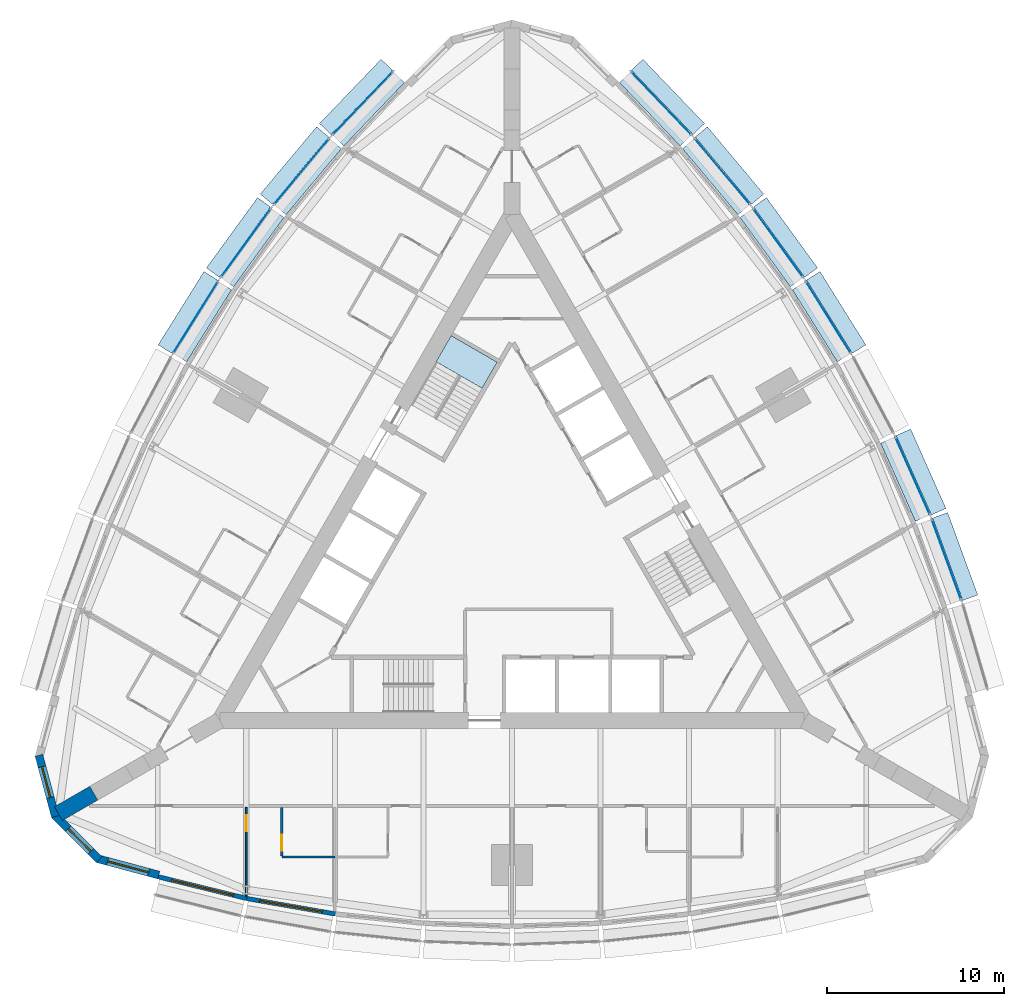
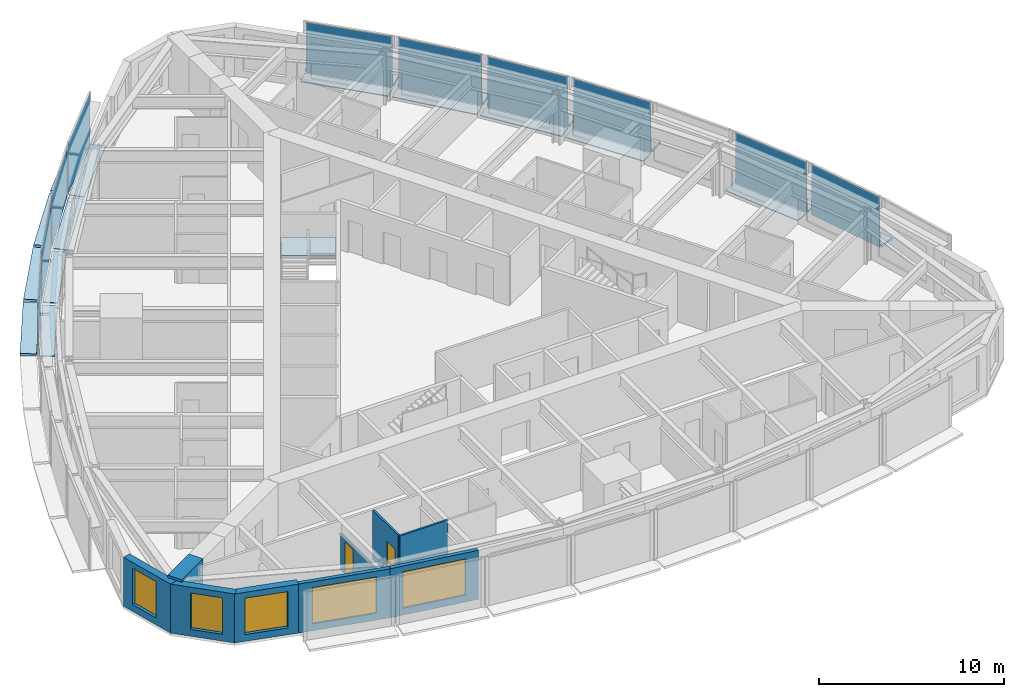
# One storey, part 7 of 14: 29 plates, 9 walls, 5 windows, 2 doors, 1 slab, 7 openings, 11 elements without a shape of their own.
"""IFC4 building model written with IfcOpenShell, lengths in metres."""

import ifcopenshell
import ifcopenshell.guid

model = None  # the IFC model being written
_history = None  # IfcOwnerHistory: only IFC2X3 demands one
_inside = {}  # id of a spatial element -> (the spatial element, [elements in it])
_under = {}  # id of a project, library or spatial element -> (it, [spatial elements below it])
_declared = {}  # id of a project -> (the project, [libraries it declares])
_typed = {}  # id of a type object -> (the type object, [elements of that type])
_made_of = {}  # id of a material, layer set ... -> (it, [elements and type objects made of it])


def new_model(schema):
    """Start an empty IFC model of exactly this schema.

    Asked for "IFC4X3", IfcOpenShell would pick the latest addendum, in which some entities
    have other attributes; the version numbers below select the first issue.
    IFC2X3 requires an IfcOwnerHistory on every rooted entity: one is made here for all.
    """
    global model, _history
    if schema == "IFC4X3":
        model = ifcopenshell.file(schema_version=(4, 3, 0, 0))
    else:
        model = ifcopenshell.file(schema=schema)
    _inside.clear()
    _under.clear()
    _declared.clear()
    _typed.clear()
    _made_of.clear()
    _history = None
    if model.schema == "IFC2X3":
        org = make("IfcOrganization", Name="unknown")
        user = make(
            "IfcPersonAndOrganization",
            ThePerson=make("IfcPerson", FamilyName="unknown"),
            TheOrganization=org,
        )
        app = make(
            "IfcApplication",
            ApplicationDeveloper=org,
            Version="unknown",
            ApplicationFullName="unknown",
            ApplicationIdentifier="unknown",
        )
        _history = make(
            "IfcOwnerHistory",
            OwningUser=user,
            OwningApplication=app,
            ChangeAction="ADDED",
            CreationDate=0,
        )
    return model


def make(cls, **values):
    """One entity of the class cls with the attributes given. An attribute that is None is left unset."""
    return model.create_entity(
        cls, **{name: value for name, value in values.items() if value is not None}
    )


def rooted(cls, **values):
    """An entity with a GlobalId (a new one), such as an element, a storey or a relation."""
    return make(cls, GlobalId=ifcopenshell.guid.new(), OwnerHistory=_history, **values)


def si_unit(unit_type, name, prefix=None):
    """IfcSIUnit, for example si_unit("LENGTHUNIT", "METRE", prefix="MILLI")."""
    return make("IfcSIUnit", UnitType=unit_type, Prefix=prefix, Name=name)


def assignment(units):
    """IfcUnitAssignment: the units of a project."""
    return None if units is None else make("IfcUnitAssignment", Units=units)


def point(xyz):
    """IfcCartesianPoint."""
    return None if xyz is None else make("IfcCartesianPoint", Coordinates=xyz)


def direction(xyz):
    """IfcDirection."""
    return None if xyz is None else make("IfcDirection", DirectionRatios=xyz)


def frame(location, z_axis=None, x_axis=None):
    """IfcAxis2Placement3D, a coordinate frame: its origin and axes. An axis left out is left unset."""
    return make(
        "IfcAxis2Placement3D",
        Location=point(location),
        Axis=direction(z_axis),
        RefDirection=direction(x_axis),
    )


def frame_2d(location, x_axis=None):
    """IfcAxis2Placement2D, a coordinate frame in the plane: its origin and x axis."""
    return make(
        "IfcAxis2Placement2D", Location=point(location), RefDirection=direction(x_axis)
    )


def origin():
    """The frame at (0, 0, 0) with its axes left unset."""
    return frame((0.0, 0.0, 0.0))


def origin_2d():
    """The frame at (0, 0) in the plane with its x axis left unset."""
    return frame_2d((0.0, 0.0))


def place(relative_to, where):
    """IfcLocalPlacement: puts the frame where relative to a parent placement (None: the world)."""
    return make(
        "IfcLocalPlacement", PlacementRelTo=relative_to, RelativePlacement=where
    )


def context(
    kind, dimensions, precision=None, world=None, true_north=None, identifier=None
):
    """IfcGeometricRepresentationContext, for example the 3D "Model" context."""
    return make(
        "IfcGeometricRepresentationContext",
        ContextIdentifier=identifier,
        ContextType=kind,
        CoordinateSpaceDimension=dimensions,
        Precision=precision,
        WorldCoordinateSystem=world,
        TrueNorth=true_north,
    )


def subcontext(parent, identifier, kind, view, scale=None):
    """IfcGeometricRepresentationSubContext, for example "Body" below "Model"."""
    return make(
        "IfcGeometricRepresentationSubContext",
        ContextIdentifier=identifier,
        ContextType=kind,
        ParentContext=parent,
        TargetScale=scale,
        TargetView=view,
    )


def project(units=None, contexts=None):
    """IfcProject with its units and contexts."""
    return rooted(
        "IfcProject",
        Name="project",
        RepresentationContexts=contexts,
        UnitsInContext=assignment(units),
    )


def spatial(cls, under=None, at=None, **own):
    """A site, building, storey or space (cls), placed at a placement, below another one or the project."""
    s = rooted(cls, ObjectPlacement=at, **own)
    if under is not None:
        _under.setdefault(under.id(), (under, []))[1].append(s)
    return s


def polyline(points):
    """IfcPolyline through the points."""
    return make("IfcPolyline", Points=[point(p) for p in points])


def profile(cls, at=None, kind="AREA", **sizes):
    """A parametric profile (cls). Its sizes go by their IFC names, for example OverallWidth=200.0."""
    return make(cls, ProfileType=kind, Position=at, **sizes)


def rectangle(**sizes):
    """IfcRectangleProfileDef."""
    return profile("IfcRectangleProfileDef", **sizes)


def outline(outer, holes=None, kind="AREA"):
    """IfcArbitraryClosedProfileDef: a profile drawn as a closed curve; with holes, ...WithVoids."""
    if holes is None:
        return make("IfcArbitraryClosedProfileDef", ProfileType=kind, OuterCurve=outer)
    return make(
        "IfcArbitraryProfileDefWithVoids",
        ProfileType=kind,
        OuterCurve=outer,
        InnerCurves=holes,
    )


def extrude(swept, where, along, depth):
    """IfcExtrudedAreaSolid: the profile swept, set in the frame where, extruded along a direction by depth."""
    return make(
        "IfcExtrudedAreaSolid",
        SweptArea=swept,
        Position=where,
        ExtrudedDirection=direction(along),
        Depth=depth,
    )


def shape(context_of_items, identifier, shape_type, items):
    """IfcShapeRepresentation: the items that make up one representation, for example the "Body"."""
    return make(
        "IfcShapeRepresentation",
        ContextOfItems=context_of_items,
        RepresentationIdentifier=identifier,
        RepresentationType=shape_type,
        Items=items,
    )


def material(Name=None, Category=None):
    """IfcMaterial."""
    return make("IfcMaterial", Name=Name, Category=Category)


def layer(
    of_material, thickness, ventilated=None, Name=None, Category=None, Priority=None
):
    """IfcMaterialLayer: one layer of a wall or slab, of a material (None: an air gap)."""
    return make(
        "IfcMaterialLayer",
        Material=of_material,
        LayerThickness=thickness,
        IsVentilated=ventilated,
        Name=Name,
        Category=Category,
        Priority=Priority,
    )


def layer_set(layers, Name=None):
    """IfcMaterialLayerSet."""
    return make("IfcMaterialLayerSet", MaterialLayers=layers, LayerSetName=Name)


def made_of(thing, what):
    """Note that an element or type object is made of a material, layer set ...; save() writes the relation."""
    if what is not None:
        _made_of.setdefault(what.id(), (what, []))[1].append(thing)
    return thing


def type_object(cls, material=None, **own):
    """A type object (cls), such as IfcWallType, which elements share."""
    return made_of(rooted(cls, **own), material)


def element(
    cls,
    number,
    at=None,
    inside=None,
    cuts=None,
    type_object=None,
    material=None,
    context=None,
    identifier="Body",
    shape_type=None,
    held_by="IfcProductDefinitionShape",
    body=None,
    shapes=None,
    **own,
):
    """One element of the class cls, such as IfcWall. Its Tag is "e" and its number.

    at: its placement. inside: the storey or other place that contains it. cuts: it is an
    opening in that element (IfcRelVoidsElement). A single representation is given by context,
    identifier, shape_type and body (its items); several are given by shapes. held_by: the class
    of the entity that holds the representations. save() writes the other relations.
    """
    e = rooted(cls, Tag="e%d" % number, ObjectPlacement=at, **own)
    if body is not None:
        shapes = [shape(context, identifier, shape_type, body)]
    if shapes is not None:
        e.Representation = make(held_by, Representations=shapes)
    if inside is not None:
        _inside.setdefault(inside.id(), (inside, []))[1].append(e)
    if cuts is not None:
        rooted(
            "IfcRelVoidsElement", RelatingBuildingElement=cuts, RelatedOpeningElement=e
        )
    if type_object is not None:
        _typed.setdefault(type_object.id(), (type_object, []))[1].append(e)
    return made_of(e, material)


def fill(opening, filler):
    """IfcRelFillsElement: the door or window that sits in an opening."""
    return rooted(
        "IfcRelFillsElement",
        RelatingOpeningElement=opening,
        RelatedBuildingElement=filler,
    )


def aggregate(whole, parts):
    """IfcRelAggregates: a whole, such as a stair, and the parts it consists of."""
    return rooted("IfcRelAggregates", RelatingObject=whole, RelatedObjects=parts)


def save(model, path):
    """Write the relations noted so far, then the file.

    IfcRelAggregates (storeys below a building ...), IfcRelContainedInSpatialStructure (elements
    in a storey), IfcRelDefinesByType, IfcRelAssociatesMaterial and IfcRelDeclares: one each for
    every whole, place, type object, material and project.
    """
    for whole, parts in _under.values():
        aggregate(whole, parts)
    for where, things in _inside.values():
        rooted(
            "IfcRelContainedInSpatialStructure",
            RelatedElements=things,
            RelatingStructure=where,
        )
    for kind, things in _typed.values():
        rooted("IfcRelDefinesByType", RelatedObjects=things, RelatingType=kind)
    for what, things in _made_of.values():
        rooted("IfcRelAssociatesMaterial", RelatedObjects=things, RelatingMaterial=what)
    for by, libraries in _declared.values():
        rooted("IfcRelDeclares", RelatingContext=by, RelatedDefinitions=libraries)
    model.write(path)


model = new_model("IFC4")

# Units and contexts
model_context = context("Model", 3, precision=1e-05, world=origin(), true_north=direction((0.0, 1.0)))
body_context = subcontext(model_context, "Body", "Model", "MODEL_VIEW")
ifc_project = project(units=[si_unit("LENGTHUNIT", "METRE"), si_unit("AREAUNIT", "SQUARE_METRE"), si_unit("VOLUMEUNIT", "CUBIC_METRE"), si_unit("PLANEANGLEUNIT", "RADIAN"), si_unit("MASSUNIT", "GRAM", prefix="KILO")], contexts=[model_context])

# Site, building, storey
site_placement = place(None, origin())
site = spatial("IfcSite", under=ifc_project, at=site_placement, CompositionType="ELEMENT")
building_placement = place(site_placement, origin())
building = spatial("IfcBuilding", under=site, at=building_placement, Name="Trikona Tower", CompositionType="ELEMENT")
storey_placement = place(building_placement, frame((0.0, 0.0, 158.89990234375)))
storey = spatial("IfcBuildingStorey", under=building, at=storey_placement, Name="L42", CompositionType="ELEMENT", Elevation=158.89990234375)

# Plates
ifc_material_1 = material(Name="Aluminium bar grating", Category="aluminium")
ifc_layer_1 = layer(ifc_material_1, 0.050048828125)
ifc_layer_set_1 = layer_set([ifc_layer_1], Name="Cavity catwalk grating")
plate_type_1 = type_object("IfcPlateType", Name="Cavity catwalk grating", PredefinedType="USERDEFINED", material=ifc_layer_set_1)
plate_1_placement = place(storey_placement, frame((22.175048828125, 4.092529296875, -0.0498046875), z_axis=(0.0, 0.0, 1.0), x_axis=(-0.406843467615, 0.913497888809, 0.0)))
element("IfcPlate", 1, at=plate_1_placement, inside=storey, type_object=plate_type_1, Name="Cavity catwalk L42-14", ObjectType="CATWALK GRATING", PredefinedType="USERDEFINED", context=body_context, shape_type="SweptSolid", body=[
    extrude(rectangle(XDim=4.827392578125, YDim=0.830078125, at=origin_2d()), origin(), (0.0, 0.0, 1.0), 0.050048828125),
])
plate_2_placement = place(storey_placement, frame((17.450927734375, 12.978759765625, -0.0498046875), z_axis=(0.0, 0.0, 1.0), x_axis=(-0.529994748414, 0.848000923734, 0.0)))
element("IfcPlate", 2, at=plate_2_placement, inside=storey, type_object=plate_type_1, Name="Cavity catwalk L42-16", ObjectType="CATWALK GRATING", PredefinedType="USERDEFINED", context=body_context, shape_type="SweptSolid", body=[
    extrude(rectangle(XDim=4.802978515625, YDim=0.830078125, at=origin_2d()), origin(), (0.0, 0.0, 1.0), 0.050048828125),
])
plate_3_placement = place(storey_placement, frame((14.6318359375, 17.157958984375, -0.0498046875), z_axis=(0.0, 0.0, 1.0), x_axis=(-0.587686407834, 0.809088799853, 0.0)))
element("IfcPlate", 3, at=plate_3_placement, inside=storey, type_object=plate_type_1, Name="Cavity catwalk L42-17", ObjectType="CATWALK GRATING", PredefinedType="USERDEFINED", context=body_context, shape_type="SweptSolid", body=[
    extrude(rectangle(XDim=4.827392578125, YDim=0.830078125, at=origin_2d()), origin(), (0.0, 0.0, 1.0), 0.050048828125),
])
plate_4_placement = place(storey_placement, frame((11.508056640625, 21.160400390625, -0.0498046875), z_axis=(0.0, 0.0, 1.0), x_axis=(-0.641807063101, 0.766866151133, 0.0)))
element("IfcPlate", 4, at=plate_4_placement, inside=storey, type_object=plate_type_1, Name="Cavity catwalk L42-18", ObjectType="CATWALK GRATING", PredefinedType="USERDEFINED", context=body_context, shape_type="SweptSolid", body=[
    extrude(rectangle(XDim=4.8759765625, YDim=0.830078125, at=origin_2d()), origin(), (0.0, 0.0, 1.0), 0.050048828125),
])
for number, where, z_axis, x_axis, name in (
    (5, (8.080078125, 24.986328125, -0.0498046875), (0.0, 0.0, 1.0), (-0.691723573819, 0.722162376078, 0.0), "Cavity catwalk L42-19"),
    (6, (-8.080078125, 24.986328125, -0.0498046875), (0.0, 0.0, 1.0), (-0.691723573819, -0.722162376078, 0.0), "Cavity catwalk L42-24"),
):
    element("IfcPlate", number, at=place(storey_placement, frame(where, z_axis=z_axis, x_axis=x_axis)), inside=storey, type_object=plate_type_1, Name=name, ObjectType="CATWALK GRATING", PredefinedType="USERDEFINED", context=body_context, shape_type="SweptSolid", body=[
        extrude(rectangle(XDim=4.947998046875, YDim=0.830078125, at=origin_2d()), origin(), (0.0, 0.0, 1.0), 0.050048828125),
    ])
plate_5_placement = place(storey_placement, frame((-11.508056640625, 21.160400390625, -0.0498046875), z_axis=(0.0, 0.0, 1.0), x_axis=(-0.641807063101, -0.766866151133, 0.0)))
element("IfcPlate", 7, at=plate_5_placement, inside=storey, type_object=plate_type_1, Name="Cavity catwalk L42-25", ObjectType="CATWALK GRATING", PredefinedType="USERDEFINED", context=body_context, shape_type="SweptSolid", body=[
    extrude(rectangle(XDim=4.8759765625, YDim=0.830078125, at=origin_2d()), origin(), (0.0, 0.0, 1.0), 0.050048828125),
])
plate_6_placement = place(storey_placement, frame((-14.6318359375, 17.157958984375, -0.0498046875), z_axis=(0.0, 0.0, 1.0), x_axis=(-0.587686407834, -0.809088799853, 0.0)))
element("IfcPlate", 8, at=plate_6_placement, inside=storey, type_object=plate_type_1, Name="Cavity catwalk L42-26", ObjectType="CATWALK GRATING", PredefinedType="USERDEFINED", context=body_context, shape_type="SweptSolid", body=[
    extrude(rectangle(XDim=4.827392578125, YDim=0.830078125, at=origin_2d()), origin(), (0.0, 0.0, 1.0), 0.050048828125),
])
plate_7_placement = place(storey_placement, frame((-17.450927734375, 12.978759765625, -0.0498046875), z_axis=(0.0, 0.0, 1.0), x_axis=(-0.529994748414, -0.848000923734, 0.0)))
element("IfcPlate", 9, at=plate_7_placement, inside=storey, type_object=plate_type_1, Name="Cavity catwalk L42-27", ObjectType="CATWALK GRATING", PredefinedType="USERDEFINED", context=body_context, shape_type="SweptSolid", body=[
    extrude(rectangle(XDim=4.802978515625, YDim=0.830078125, at=origin_2d()), origin(), (0.0, 0.0, 1.0), 0.050048828125),
])

# Curtain wall, plate
ifc_material_2 = material(Name="Aluminium curtain wall system", Category="aluminium")
curtain_wall_type = type_object("IfcCurtainWallType", Name="Curtain wall DS2", PredefinedType="NOTDEFINED", material=ifc_material_2)
curtain_wall_1_placement = place(storey_placement, origin())
curtain_wall_1 = element("IfcCurtainWall", 10, at=curtain_wall_1_placement, inside=storey, type_object=curtain_wall_type, Name="Curtain wall DS2 L42", PredefinedType="NOTDEFINED")
ifc_material_3 = material(Name="Laminated clear glass", Category="glass")
ifc_layer_2 = layer(ifc_material_3, 0.028076171875)
ifc_layer_set_2 = layer_set([ifc_layer_2], Name="Glass panel DS2")
plate_type_2 = type_object("IfcPlateType", Name="Glass panel DS2", PredefinedType="CURTAIN_PANEL", material=ifc_layer_set_2)
plate_8_placement = place(storey_placement, frame((24.53515625, -0.447509765625, 0.0), z_axis=(0.0, 0.0, 1.0), x_axis=(-0.343223420143, 0.939253790978, 0.0)))
plate_8 = element("IfcPlate", 11, at=plate_8_placement, type_object=plate_type_2, Name="CW-DS2 panel 1.1", PredefinedType="CURTAIN_PANEL", context=body_context, shape_type="SweptSolid", body=[
    extrude(rectangle(XDim=4.7958984375, YDim=0.028076171875, at=origin_2d()), origin(), (0.0, 0.0, 1.0), 3.320068359375),
])
aggregate(curtain_wall_1, [plate_8])

curtain_wall_2_placement = place(storey_placement, origin())
curtain_wall_2 = element("IfcCurtainWall", 12, at=curtain_wall_2_placement, inside=storey, type_object=curtain_wall_type, Name="Curtain wall DS2 L42", PredefinedType="NOTDEFINED")
plate_9_placement = place(storey_placement, frame((22.6181640625, 4.289794921875, 0.0), z_axis=(0.0, 0.0, 1.0), x_axis=(-0.406836013132, 0.913501208767, 0.0)))
plate_9 = element("IfcPlate", 13, at=plate_9_placement, type_object=plate_type_2, Name="CW-DS2 panel 1.1", PredefinedType="CURTAIN_PANEL", context=body_context, shape_type="SweptSolid", body=[
    extrude(rectangle(XDim=4.747314453125, YDim=0.028076171875, at=origin_2d()), origin(), (0.0, 0.0, 1.0), 3.320068359375),
])
aggregate(curtain_wall_2, [plate_9])

curtain_wall_3_placement = place(storey_placement, origin())
curtain_wall_3 = element("IfcCurtainWall", 14, at=curtain_wall_3_placement, inside=storey, type_object=curtain_wall_type, Name="Curtain wall DS2 L42", PredefinedType="NOTDEFINED")
plate_10_placement = place(storey_placement, frame((17.8623046875, 13.23583984375, 0.0), z_axis=(0.0, 0.0, 1.0), x_axis=(-0.529998940002, 0.847998304006, 0.0)))
plate_10 = element("IfcPlate", 15, at=plate_10_placement, type_object=plate_type_2, Name="CW-DS2 panel 1.1", PredefinedType="CURTAIN_PANEL", context=body_context, shape_type="SweptSolid", body=[
    extrude(rectangle(XDim=4.72314453125, YDim=0.028076171875, at=origin_2d()), origin(), (0.0, 0.0, 1.0), 3.320068359375),
])
aggregate(curtain_wall_3, [plate_10])

curtain_wall_4_placement = place(storey_placement, origin())
curtain_wall_4 = element("IfcCurtainWall", 16, at=curtain_wall_4_placement, inside=storey, type_object=curtain_wall_type, Name="Curtain wall DS2 L42", PredefinedType="NOTDEFINED")
plate_11_placement = place(storey_placement, frame((15.024169921875, 17.443115234375, 0.0), z_axis=(0.0, 0.0, 1.0), x_axis=(-0.587690588313, 0.80908576332, 0.0)))
plate_11 = element("IfcPlate", 17, at=plate_11_placement, type_object=plate_type_2, Name="CW-DS2 panel 1.1", PredefinedType="CURTAIN_PANEL", context=body_context, shape_type="SweptSolid", body=[
    extrude(rectangle(XDim=4.74755859375, YDim=0.028076171875, at=origin_2d()), origin(), (0.0, 0.0, 1.0), 3.320068359375),
])
aggregate(curtain_wall_4, [plate_11])

curtain_wall_5_placement = place(storey_placement, origin())
curtain_wall_5 = element("IfcCurtainWall", 18, at=curtain_wall_5_placement, inside=storey, type_object=curtain_wall_type, Name="Curtain wall DS2 L42", PredefinedType="NOTDEFINED")
plate_12_placement = place(storey_placement, frame((11.8798828125, 21.4716796875, 0.0), z_axis=(0.0, 0.0, 1.0), x_axis=(-0.641806433248, 0.766866678271, 0.0)))
plate_12 = element("IfcPlate", 19, at=plate_12_placement, type_object=plate_type_2, Name="CW-DS2 panel 1.1", PredefinedType="CURTAIN_PANEL", context=body_context, shape_type="SweptSolid", body=[
    extrude(rectangle(XDim=4.7958984375, YDim=0.028076171875, at=origin_2d()), origin(), (0.0, 0.0, 1.0), 3.320068359375),
])
aggregate(curtain_wall_5, [plate_12])

curtain_wall_6_placement = place(storey_placement, origin())
curtain_wall_6 = element("IfcCurtainWall", 20, at=curtain_wall_6_placement, inside=storey, type_object=curtain_wall_type, Name="Curtain wall DS2 L42", PredefinedType="NOTDEFINED")
plate_13_placement = place(storey_placement, frame((8.430419921875, 25.32177734375, 0.0), z_axis=(0.0, 0.0, 1.0), x_axis=(-0.691727797117, 0.722158330767, 0.0)))
plate_13 = element("IfcPlate", 21, at=plate_13_placement, type_object=plate_type_2, Name="CW-DS2 panel 1.1", PredefinedType="CURTAIN_PANEL", context=body_context, shape_type="SweptSolid", body=[
    extrude(rectangle(XDim=4.867919921875, YDim=0.028076171875, at=origin_2d()), origin(), (0.0, 0.0, 1.0), 3.320068359375),
])
aggregate(curtain_wall_6, [plate_13])

curtain_wall_7_placement = place(storey_placement, origin())
curtain_wall_7 = element("IfcCurtainWall", 22, at=curtain_wall_7_placement, inside=storey, type_object=curtain_wall_type, Name="Curtain wall DS2 L42", PredefinedType="NOTDEFINED")
plate_14_placement = place(storey_placement, frame((-8.430419921875, 25.32177734375, 0.0), z_axis=(0.0, 0.0, 1.0), x_axis=(-0.691727797117, -0.722158330767, 0.0)))
plate_14 = element("IfcPlate", 23, at=plate_14_placement, type_object=plate_type_2, Name="CW-DS2 panel 1.1", PredefinedType="CURTAIN_PANEL", context=body_context, shape_type="SweptSolid", body=[
    extrude(rectangle(XDim=4.867919921875, YDim=0.028076171875, at=origin_2d()), origin(), (0.0, 0.0, 1.0), 3.320068359375),
])
aggregate(curtain_wall_7, [plate_14])

curtain_wall_8_placement = place(storey_placement, origin())
curtain_wall_8 = element("IfcCurtainWall", 24, at=curtain_wall_8_placement, inside=storey, type_object=curtain_wall_type, Name="Curtain wall DS2 L42", PredefinedType="NOTDEFINED")
plate_15_placement = place(storey_placement, frame((-11.8798828125, 21.4716796875, 0.0), z_axis=(0.0, 0.0, 1.0), x_axis=(-0.641806433248, -0.766866678271, 0.0)))
plate_15 = element("IfcPlate", 25, at=plate_15_placement, type_object=plate_type_2, Name="CW-DS2 panel 1.1", PredefinedType="CURTAIN_PANEL", context=body_context, shape_type="SweptSolid", body=[
    extrude(rectangle(XDim=4.7958984375, YDim=0.028076171875, at=origin_2d()), origin(), (0.0, 0.0, 1.0), 3.320068359375),
])
aggregate(curtain_wall_8, [plate_15])

curtain_wall_9_placement = place(storey_placement, origin())
curtain_wall_9 = element("IfcCurtainWall", 26, at=curtain_wall_9_placement, inside=storey, type_object=curtain_wall_type, Name="Curtain wall DS2 L42", PredefinedType="NOTDEFINED")
plate_16_placement = place(storey_placement, frame((-15.024169921875, 17.443115234375, 0.0), z_axis=(0.0, 0.0, 1.0), x_axis=(-0.587690588313, -0.80908576332, 0.0)))
plate_16 = element("IfcPlate", 27, at=plate_16_placement, type_object=plate_type_2, Name="CW-DS2 panel 1.1", PredefinedType="CURTAIN_PANEL", context=body_context, shape_type="SweptSolid", body=[
    extrude(rectangle(XDim=4.74755859375, YDim=0.028076171875, at=origin_2d()), origin(), (0.0, 0.0, 1.0), 3.320068359375),
])
aggregate(curtain_wall_9, [plate_16])

curtain_wall_10_placement = place(storey_placement, origin())
curtain_wall_10 = element("IfcCurtainWall", 28, at=curtain_wall_10_placement, inside=storey, type_object=curtain_wall_type, Name="Curtain wall DS2 L42", PredefinedType="NOTDEFINED")
plate_17_placement = place(storey_placement, frame((-17.8623046875, 13.23583984375, 0.0), z_axis=(0.0, 0.0, 1.0), x_axis=(-0.529998940002, -0.847998304006, 0.0)))
plate_17 = element("IfcPlate", 29, at=plate_17_placement, type_object=plate_type_2, Name="CW-DS2 panel 1.1", PredefinedType="CURTAIN_PANEL", context=body_context, shape_type="SweptSolid", body=[
    extrude(rectangle(XDim=4.72314453125, YDim=0.028076171875, at=origin_2d()), origin(), (0.0, 0.0, 1.0), 3.320068359375),
])
aggregate(curtain_wall_10, [plate_17])

# Plates
ifc_material_4 = material(Name="Aluminium plate fin, pale anodised, on stainless steel outriggers", Category="steel")
ifc_layer_3 = layer(ifc_material_4, 0.14990234375)
ifc_layer_set_3 = layer_set([ifc_layer_3], Name="Outer skin fin 900")
plate_type_3 = type_object("IfcPlateType", Name="Outer skin fin 900", PredefinedType="USERDEFINED", material=ifc_layer_set_3)
plate_18_placement = place(storey_placement, frame((25.0234375, -0.26904296875, 0.000244140625), z_axis=(0.0, 0.0, 1.0), x_axis=(-0.343220397324, 0.939254895575, 0.0)))
element("IfcPlate", 30, at=plate_18_placement, inside=storey, type_object=plate_type_3, Name="Outer skin fin L42-13", ObjectType="FIN", PredefinedType="USERDEFINED", context=body_context, shape_type="SweptSolid", body=[
    extrude(rectangle(XDim=4.9560546875, YDim=0.89990234375, at=origin_2d()), origin(), (0.0, 0.0, 1.0), 0.14990234375),
])
plate_19_placement = place(storey_placement, frame((23.09326171875, 4.50146484375, 0.000244140625), z_axis=(0.0, 0.0, 1.0), x_axis=(-0.406843467615, 0.913497888809, 0.0)))
element("IfcPlate", 31, at=plate_19_placement, inside=storey, type_object=plate_type_3, Name="Outer skin fin L42-14", ObjectType="FIN", PredefinedType="USERDEFINED", context=body_context, shape_type="SweptSolid", body=[
    extrude(rectangle(XDim=4.907470703125, YDim=0.89990234375, at=origin_2d()), origin(), (0.0, 0.0, 1.0), 0.14990234375),
])
plate_20_placement = place(storey_placement, frame((18.30322265625, 13.511474609375, 0.000244140625), z_axis=(0.0, 0.0, 1.0), x_axis=(-0.529994748414, 0.848000923734, 0.0)))
element("IfcPlate", 32, at=plate_20_placement, inside=storey, type_object=plate_type_3, Name="Outer skin fin L42-16", ObjectType="FIN", PredefinedType="USERDEFINED", context=body_context, shape_type="SweptSolid", body=[
    extrude(rectangle(XDim=4.883056640625, YDim=0.89990234375, at=origin_2d()), origin(), (0.0, 0.0, 1.0), 0.14990234375),
])
plate_21_placement = place(storey_placement, frame((15.44482421875, 17.74853515625, 0.000244140625), z_axis=(0.0, 0.0, 1.0), x_axis=(-0.587686407834, 0.809088799853, 0.0)))
element("IfcPlate", 33, at=plate_21_placement, inside=storey, type_object=plate_type_3, Name="Outer skin fin L42-17", ObjectType="FIN", PredefinedType="USERDEFINED", context=body_context, shape_type="SweptSolid", body=[
    extrude(rectangle(XDim=4.907470703125, YDim=0.89990234375, at=origin_2d()), origin(), (0.0, 0.0, 1.0), 0.14990234375),
])
plate_22_placement = place(storey_placement, frame((12.27880859375, 21.8056640625, 0.000244140625), z_axis=(0.0, 0.0, 1.0), x_axis=(-0.641807063101, 0.766866151133, 0.0)))
element("IfcPlate", 34, at=plate_22_placement, inside=storey, type_object=plate_type_3, Name="Outer skin fin L42-18", ObjectType="FIN", PredefinedType="USERDEFINED", context=body_context, shape_type="SweptSolid", body=[
    extrude(rectangle(XDim=4.9560546875, YDim=0.89990234375, at=origin_2d()), origin(), (0.0, 0.0, 1.0), 0.14990234375),
])
for number, where, z_axis, x_axis, name in (
    (35, (8.805908203125, 25.681396484375, 0.000244140625), (0.0, 0.0, 1.0), (-0.691723573819, 0.722162376078, 0.0), "Outer skin fin L42-19"),
    (36, (-8.805908203125, 25.681396484375, 0.000244140625), (0.0, 0.0, 1.0), (-0.691723573819, -0.722162376078, 0.0), "Outer skin fin L42-24"),
):
    element("IfcPlate", number, at=place(storey_placement, frame(where, z_axis=z_axis, x_axis=x_axis)), inside=storey, type_object=plate_type_3, Name=name, ObjectType="FIN", PredefinedType="USERDEFINED", context=body_context, shape_type="SweptSolid", body=[
        extrude(rectangle(XDim=5.02783203125, YDim=0.89990234375, at=origin_2d()), origin(), (0.0, 0.0, 1.0), 0.14990234375),
    ])
plate_23_placement = place(storey_placement, frame((-12.27880859375, 21.8056640625, 0.000244140625), z_axis=(0.0, 0.0, 1.0), x_axis=(-0.641807063101, -0.766866151133, 0.0)))
element("IfcPlate", 37, at=plate_23_placement, inside=storey, type_object=plate_type_3, Name="Outer skin fin L42-25", ObjectType="FIN", PredefinedType="USERDEFINED", context=body_context, shape_type="SweptSolid", body=[
    extrude(rectangle(XDim=4.9560546875, YDim=0.89990234375, at=origin_2d()), origin(), (0.0, 0.0, 1.0), 0.14990234375),
])
plate_24_placement = place(storey_placement, frame((-15.44482421875, 17.74853515625, 0.000244140625), z_axis=(0.0, 0.0, 1.0), x_axis=(-0.587686407834, -0.809088799853, 0.0)))
element("IfcPlate", 38, at=plate_24_placement, inside=storey, type_object=plate_type_3, Name="Outer skin fin L42-26", ObjectType="FIN", PredefinedType="USERDEFINED", context=body_context, shape_type="SweptSolid", body=[
    extrude(rectangle(XDim=4.907470703125, YDim=0.89990234375, at=origin_2d()), origin(), (0.0, 0.0, 1.0), 0.14990234375),
])
plate_25_placement = place(storey_placement, frame((-18.30322265625, 13.511474609375, 0.000244140625), z_axis=(0.0, 0.0, 1.0), x_axis=(-0.529994748414, -0.848000923734, 0.0)))
element("IfcPlate", 39, at=plate_25_placement, inside=storey, type_object=plate_type_3, Name="Outer skin fin L42-27", ObjectType="FIN", PredefinedType="USERDEFINED", context=body_context, shape_type="SweptSolid", body=[
    extrude(rectangle(XDim=4.883056640625, YDim=0.89990234375, at=origin_2d()), origin(), (0.0, 0.0, 1.0), 0.14990234375),
])

# Stair, slab
ifc_material_5 = material(Name="Concrete f'c 5000 psi", Category="concrete")
stair_type = type_object("IfcStairType", Name="Core stair", PredefinedType="HALF_TURN_STAIR", material=ifc_material_5)
stair_placement = place(storey_placement, origin())
stair = element("IfcStair", 40, at=stair_placement, inside=storey, type_object=stair_type, Name="Stair C L42", PredefinedType="HALF_TURN_STAIR")
ifc_material_6 = material(Name="Concrete f'c 5000 psi", Category="concrete")
ifc_layer_4 = layer(ifc_material_6, 0.199951171875)
ifc_layer_set_4 = layer_set([ifc_layer_4], Name="Stair landing 200")
slab_type = type_object("IfcSlabType", Name="Stair landing 200", PredefinedType="LANDING", material=ifc_layer_set_4)
slab_placement = place(storey_placement, frame((0.0, 0.0, 1.5)))
slab = element("IfcSlab", 41, at=slab_placement, type_object=slab_type, Name="ST-C landing 2", PredefinedType="LANDING", context=body_context, shape_type="SweptSolid", body=[
    extrude(outline(polyline([(-0.837158203125, 10.702392578125), (-1.688720703125, 9.2275390625), (-4.286865234375, 10.7275390625), (-3.435302734375, 12.202392578125), (-0.837158203125, 10.702392578125)])), origin(), (0.0, 0.0, 1.0), 0.2001953125),
])
aggregate(stair, [slab])

# Wall
ifc_material_7 = material(Name="Metal stud and cement board", Category="gypsum")
ifc_layer_5 = layer(ifc_material_7, 0.1201171875)
ifc_layer_set_5 = layer_set([ifc_layer_5], Name="Bathroom wall 120")
wall_type_1 = type_object("IfcWallType", Name="Bathroom wall 120", PredefinedType="PLUMBINGWALL", material=ifc_layer_set_5)
wall_1_placement = place(storey_placement, frame((-13.0, -17.226318359375, 0.0), z_axis=(0.0, 0.0, 1.0), x_axis=(1.0, 0.0, 0.0)))
element("IfcWall", 42, at=wall_1_placement, inside=storey, type_object=wall_type_1, Name="Bathroom wall 4201.1", PredefinedType="PLUMBINGWALL", context=body_context, shape_type="SweptSolid", body=[
    extrude(rectangle(XDim=3.0, YDim=0.1201171875, at=frame_2d((1.5, 0.0))), origin(), (0.0, 0.0, 1.0), 3.235107421875),
])

# Wall, opening, door
wall_2_placement = place(storey_placement, frame((-13.0, -14.42626953125, 0.0), z_axis=(0.0, 0.0, 1.0), x_axis=(0.0, -1.0, 0.0)))
wall_2 = element("IfcWall", 43, at=wall_2_placement, inside=storey, type_object=wall_type_1, Name="Bathroom wall 4201.1", PredefinedType="PLUMBINGWALL", context=body_context, shape_type="SweptSolid", body=[
    extrude(rectangle(XDim=2.739990234375, YDim=0.1201171875, at=frame_2d((1.3701171875, 0.0))), origin(), (0.0, 0.0, 1.0), 3.235107421875),
])
opening_1_placement = place(wall_2_placement, frame((1.550048828125, 0.0, 0.0)))
opening_1 = element("IfcOpeningElement", 44, at=opening_1_placement, cuts=wall_2, Name="Opening D2", PredefinedType="OPENING", context=body_context, shape_type="SweptSolid", body=[
    extrude(rectangle(XDim=0.89990234375, YDim=2.1298828125, at=frame_2d((0.449951171875, 1.06494140625))), frame((0.0, 0.070068359375, 0.0), z_axis=(0.0, -1.0, 0.0), x_axis=(1.0, 0.0, 0.0)), (0.0, 0.0, 1.0), 0.14013671875),
])
ifc_material_8 = material(Name="Steel door frame with solid-core timber leaf", Category="steel")
door_type_1 = type_object("IfcDoorType", Name="Bathroom door 900x2130", OperationType="SLIDING_TO_LEFT", PredefinedType="DOOR", material=ifc_material_8)
door_1_placement = place(opening_1_placement, origin())
door_1 = element("IfcDoor", 45, at=door_1_placement, inside=storey, type_object=door_type_1, Name="Bathroom door 4201.1", OperationType="SLIDING_TO_LEFT", OverallHeight=2.1298828125, OverallWidth=0.89990234375, PredefinedType="DOOR", context=body_context, shape_type="SweptSolid", body=[
    extrude(rectangle(XDim=0.89990234375, YDim=2.1298828125, at=frame_2d((0.449951171875, 1.06494140625))), frame((0.0, 0.02490234375, 0.0), z_axis=(0.0, -1.0, 0.0), x_axis=(1.0, 0.0, 0.0)), (0.0, 0.0, 1.0), 0.050048828125),
])
fill(opening_1, door_1)

# Wall, opening, window
ifc_material_9 = material(Name="Brick-faced precast concrete", Category="masonry")
ifc_layer_6 = layer(ifc_material_9, 0.449951171875)
ifc_layer_set_6 = layer_set([ifc_layer_6], Name="Brick-faced corner wall 450")
wall_type_2 = type_object("IfcWallType", Name="Brick-faced corner wall 450", PredefinedType="SOLIDWALL", material=ifc_layer_set_6)
wall_3_placement = place(storey_placement, frame((-26.7109375, -11.48876953125, 0.0), z_axis=(0.0, 0.0, 1.0), x_axis=(0.258823421857, -0.965924653531, 0.0)))
wall_3 = element("IfcWall", 46, at=wall_3_placement, inside=storey, type_object=wall_type_2, Name="External wall L42-33", PredefinedType="SOLIDWALL", context=body_context, shape_type="SweptSolid", body=[
    extrude(outline(polyline([(3.58642578125, 0.22509765625), (3.52685546875, 0.22509765625), (3.03515625, 0.09326171875), (3.0, 0.22509765625), (0.0, 0.22509765625), (0.0, -0.22509765625), (3.58642578125, -0.22509765625), (3.58642578125, 0.22509765625)])), origin(), (0.0, 0.0, 1.0), 3.235107421875),
])
opening_2_placement = place(wall_3_placement, frame((0.6748046875, 0.0, 0.449951171875)))
opening_2 = element("IfcOpeningElement", 47, at=opening_2_placement, cuts=wall_3, Name="Opening W1824", PredefinedType="OPENING", context=body_context, shape_type="SweptSolid", body=[
    extrude(rectangle(XDim=1.800048828125, YDim=2.39990234375, at=frame_2d((0.89990234375, 1.199951171875))), frame((0.0, 0.23486328125, 0.0), z_axis=(0.0, -1.0, 0.0), x_axis=(1.0, 0.0, 0.0)), (0.0, 0.0, 1.0), 0.469970703125),
])
ifc_material_10 = material(Name="Aluminium-framed double glazing", Category="aluminium")
window_type_1 = type_object("IfcWindowType", Name="Window 1800x2400", PartitioningType="SINGLE_PANEL", PredefinedType="WINDOW", material=ifc_material_10)
window_1_placement = place(opening_2_placement, origin())
window_1 = element("IfcWindow", 48, at=window_1_placement, inside=storey, type_object=window_type_1, Name="Window 4215", OverallHeight=2.39990234375, OverallWidth=1.800048828125, PartitioningType="SINGLE_PANEL", PredefinedType="WINDOW", context=body_context, shape_type="SweptSolid", body=[
    extrude(rectangle(XDim=1.800048828125, YDim=2.39990234375, at=frame_2d((0.89990234375, 1.199951171875))), frame((0.0, 0.030029296875, 0.0), z_axis=(0.0, -1.0, 0.0), x_axis=(1.0, 0.0, 0.0)), (0.0, 0.0, 1.0), 0.06005859375),
])
fill(opening_2, window_1)

wall_4_placement = place(storey_placement, frame((-25.8408203125, -14.85205078125, 0.0), z_axis=(0.0, 0.0, 1.0), x_axis=(0.707106781187, -0.707106781187, 0.0)))
wall_4 = element("IfcWall", 49, at=wall_4_placement, inside=storey, type_object=wall_type_2, Name="External wall L42-34", PredefinedType="SOLIDWALL", context=body_context, shape_type="SweptSolid", body=[
    extrude(outline(polyline([(3.586181640625, 0.22509765625), (0.58642578125, 0.22509765625), (0.551025390625, 0.09326171875), (0.05908203125, 0.22509765625), (0.0, 0.22509765625), (0.0, -0.22509765625), (3.586181640625, -0.22509765625), (3.586181640625, 0.22509765625)])), origin(), (0.0, 0.0, 1.0), 3.235107421875),
])
opening_3_placement = place(wall_4_placement, frame((1.111328125, 0.0, 0.449951171875)))
opening_3 = element("IfcOpeningElement", 50, at=opening_3_placement, cuts=wall_4, Name="Opening W1824", PredefinedType="OPENING", context=body_context, shape_type="SweptSolid", body=[
    extrude(rectangle(XDim=1.800048828125, YDim=2.39990234375, at=frame_2d((0.89990234375, 1.199951171875))), frame((0.0, 0.23486328125, 0.0), z_axis=(0.0, -1.0, 0.0), x_axis=(1.0, 0.0, 0.0)), (0.0, 0.0, 1.0), 0.469970703125),
])
window_2_placement = place(opening_3_placement, origin())
window_2 = element("IfcWindow", 51, at=window_2_placement, inside=storey, type_object=window_type_1, Name="Window 4201", OverallHeight=2.39990234375, OverallWidth=1.800048828125, PartitioningType="SINGLE_PANEL", PredefinedType="WINDOW", context=body_context, shape_type="SweptSolid", body=[
    extrude(rectangle(XDim=1.800048828125, YDim=2.39990234375, at=frame_2d((0.89990234375, 1.199951171875))), frame((0.0, 0.030029296875, 0.0), z_axis=(0.0, -1.0, 0.0), x_axis=(1.0, 0.0, 0.0)), (0.0, 0.0, 1.0), 0.06005859375),
])
fill(opening_3, window_2)

wall_5_placement = place(storey_placement, frame((-23.406005859375, -17.32958984375, 0.0), z_axis=(0.0, 0.0, 1.0), x_axis=(0.965924653531, -0.258823421857, 0.0)))
wall_5 = element("IfcWall", 52, at=wall_5_placement, inside=storey, type_object=wall_type_2, Name="External wall L42-35", PredefinedType="SOLIDWALL", context=body_context, shape_type="SweptSolid", body=[
    extrude(rectangle(XDim=3.58642578125, YDim=0.449951171875, at=frame_2d((1.793212890625, 0.0))), origin(), (0.0, 0.0, 1.0), 3.235107421875),
])
opening_4_placement = place(wall_5_placement, frame((0.593017578125, 0.0, 0.449951171875)))
opening_4 = element("IfcOpeningElement", 53, at=opening_4_placement, cuts=wall_5, Name="Opening W2424", PredefinedType="OPENING", context=body_context, shape_type="SweptSolid", body=[
    extrude(rectangle(XDim=2.39990234375, YDim=2.39990234375, at=frame_2d((1.199951171875, 1.199951171875))), frame((0.0, 0.23486328125, 0.0), z_axis=(0.0, -1.0, 0.0), x_axis=(1.0, 0.0, 0.0)), (0.0, 0.0, 1.0), 0.469970703125),
])
ifc_material_11 = material(Name="Aluminium-framed double glazing", Category="aluminium")
window_type_2 = type_object("IfcWindowType", Name="Window 2400x2400", PartitioningType="SINGLE_PANEL", PredefinedType="WINDOW", material=ifc_material_11)
window_3_placement = place(opening_4_placement, origin())
window_3 = element("IfcWindow", 54, at=window_3_placement, inside=storey, type_object=window_type_2, Name="Window 4201", OverallHeight=2.39990234375, OverallWidth=2.39990234375, PartitioningType="SINGLE_PANEL", PredefinedType="WINDOW", context=body_context, shape_type="SweptSolid", body=[
    extrude(rectangle(XDim=2.39990234375, YDim=2.39990234375, at=frame_2d((1.199951171875, 1.199951171875))), frame((0.0, 0.030029296875, 0.0), z_axis=(0.0, -1.0, 0.0), x_axis=(1.0, 0.0, 0.0)), (0.0, 0.0, 1.0), 0.06005859375),
])
fill(opening_4, window_3)

# Wall
ifc_material_12 = material(Name="Concrete f'c 10000 psi", Category="concrete")
ifc_layer_7 = layer(ifc_material_12, 0.89990234375)
ifc_layer_set_7 = layer_set([ifc_layer_7], Name="Buttress wall 900")
wall_type_3 = type_object("IfcWallType", Name="Buttress wall 900", PredefinedType="SHEAR", material=ifc_layer_set_7)
wall_6_placement = place(storey_placement, frame((-23.6103515625, -13.63134765625, 0.0), z_axis=(0.0, 0.0, 1.0), x_axis=(-0.866009537788, -0.500027479704, 0.0)))
element("IfcWall", 55, at=wall_6_placement, inside=storey, type_object=wall_type_3, Name="Buttress wall 3 part 4", PredefinedType="SHEAR", context=body_context, shape_type="SweptSolid", body=[
    extrude(rectangle(XDim=2.309326171875, YDim=0.89990234375, at=frame_2d((1.15478515625, 0.0))), origin(), (0.0, 0.0, 1.0), 3.400146484375),
])

# Wall, opening, window
ifc_material_13 = material(Name="Insulated precast concrete spandrel panel", Category="concrete")
ifc_layer_8 = layer(ifc_material_13, 0.25)
ifc_layer_set_8 = layer_set([ifc_layer_8], Name="Inner skin wall 250")
wall_type_4 = type_object("IfcWallType", Name="Inner skin wall 250", PredefinedType="STANDARD", material=ifc_layer_set_8)
wall_7_placement = place(storey_placement, frame((-19.97021484375, -18.353759765625, 0.0), z_axis=(0.0, 0.0, 1.0), x_axis=(0.971270024053, -0.237980126011, 0.0)))
wall_7 = element("IfcWall", 56, at=wall_7_placement, inside=storey, type_object=wall_type_4, Name="External wall L42-00", PredefinedType="STANDARD", context=body_context, shape_type="SweptSolid", body=[
    extrude(rectangle(XDim=5.14794921875, YDim=0.25, at=frame_2d((2.573974609375, 0.0))), origin(), (0.0, 0.0, 1.0), 3.235107421875),
])
opening_5_placement = place(wall_7_placement, frame((0.77392578125, 0.0, 0.449951171875)))
opening_5 = element("IfcOpeningElement", 57, at=opening_5_placement, cuts=wall_7, Name="Opening W3624", PredefinedType="OPENING", context=body_context, shape_type="SweptSolid", body=[
    extrude(rectangle(XDim=3.60009765625, YDim=2.39990234375, at=frame_2d((1.800048828125, 1.199951171875))), frame((0.0, 0.135009765625, 0.0), z_axis=(0.0, -1.0, 0.0), x_axis=(1.0, 0.0, 0.0)), (0.0, 0.0, 1.0), 0.27001953125),
])
ifc_material_14 = material(Name="Aluminium-framed double glazing", Category="aluminium")
window_type_3 = type_object("IfcWindowType", Name="Window 3600x2400", PartitioningType="SINGLE_PANEL", PredefinedType="WINDOW", material=ifc_material_14)
window_4_placement = place(opening_5_placement, origin())
window_4 = element("IfcWindow", 58, at=window_4_placement, inside=storey, type_object=window_type_3, Name="Window 4201", OverallHeight=2.39990234375, OverallWidth=3.60009765625, PartitioningType="SINGLE_PANEL", PredefinedType="WINDOW", context=body_context, shape_type="SweptSolid", body=[
    extrude(rectangle(XDim=3.60009765625, YDim=2.39990234375, at=frame_2d((1.800048828125, 1.199951171875))), frame((0.0, 0.030029296875, 0.0), z_axis=(0.0, -1.0, 0.0), x_axis=(1.0, 0.0, 0.0)), (0.0, 0.0, 1.0), 0.06005859375),
])
fill(opening_5, window_4)

wall_8_placement = place(storey_placement, frame((-14.978515625, -19.5771484375, 0.0), z_axis=(0.0, 0.0, 1.0), x_axis=(0.985030467156, -0.172380331752, 0.0)))
wall_8 = element("IfcWall", 59, at=wall_8_placement, inside=storey, type_object=wall_type_4, Name="External wall L42-01", PredefinedType="STANDARD", context=body_context, shape_type="SweptSolid", body=[
    extrude(rectangle(XDim=5.075927734375, YDim=0.25, at=frame_2d((2.5380859375, 0.0))), origin(), (0.0, 0.0, 1.0), 3.235107421875),
])
opening_6_placement = place(wall_8_placement, frame((0.738037109375, 0.0, 0.449951171875)))
opening_6 = element("IfcOpeningElement", 60, at=opening_6_placement, cuts=wall_8, Name="Opening W3624", PredefinedType="OPENING", context=body_context, shape_type="SweptSolid", body=[
    extrude(rectangle(XDim=3.60009765625, YDim=2.39990234375, at=frame_2d((1.800048828125, 1.199951171875))), frame((0.0, 0.135009765625, 0.0), z_axis=(0.0, -1.0, 0.0), x_axis=(1.0, 0.0, 0.0)), (0.0, 0.0, 1.0), 0.27001953125),
])
window_5_placement = place(opening_6_placement, origin())
window_5 = element("IfcWindow", 61, at=window_5_placement, inside=storey, type_object=window_type_3, Name="Window 4201.1", OverallHeight=2.39990234375, OverallWidth=3.60009765625, PartitioningType="SINGLE_PANEL", PredefinedType="WINDOW", context=body_context, shape_type="SweptSolid", body=[
    extrude(rectangle(XDim=3.60009765625, YDim=2.39990234375, at=frame_2d((1.800048828125, 1.199951171875))), frame((0.0, 0.030029296875, 0.0), z_axis=(0.0, -1.0, 0.0), x_axis=(1.0, 0.0, 0.0)), (0.0, 0.0, 1.0), 0.06005859375),
])
fill(opening_6, window_5)

# Wall, opening, door
ifc_material_15 = material(Name="Metal stud and gypsum board, acoustic", Category="gypsum")
ifc_layer_9 = layer(ifc_material_15, 0.10009765625)
ifc_layer_set_9 = layer_set([ifc_layer_9], Name="Suite partition 100")
wall_type_5 = type_object("IfcWallType", Name="Suite partition 100", PredefinedType="PARTITIONING", material=ifc_layer_set_9)
wall_9_placement = place(storey_placement, frame((-15.0, -14.42626953125, 0.0), z_axis=(0.0, 0.0, 1.0), x_axis=(0.0, -1.0, 0.0)))
wall_9 = element("IfcWall", 62, at=wall_9_placement, inside=storey, type_object=wall_type_5, Name="Suite partition L42 F1 u-15", PredefinedType="PARTITIONING", context=body_context, shape_type="SweptSolid", body=[
    extrude(rectangle(XDim=5.0166015625, YDim=0.10009765625, at=frame_2d((2.50830078125, 0.0))), origin(), (0.0, 0.0, 1.0), 2.389404296875),
])
opening_7_placement = place(wall_9_placement, frame((0.449951171875, 0.0, 0.0)))
opening_7 = element("IfcOpeningElement", 63, at=opening_7_placement, cuts=wall_9, Name="Opening D13", PredefinedType="OPENING", context=body_context, shape_type="SweptSolid", body=[
    extrude(rectangle(XDim=0.89990234375, YDim=2.1298828125, at=frame_2d((0.449951171875, 1.06494140625))), frame((0.0, 0.06005859375, 0.0), z_axis=(0.0, -1.0, 0.0), x_axis=(1.0, 0.0, 0.0)), (0.0, 0.0, 1.0), 0.1201171875),
])
ifc_material_16 = material(Name="Steel door frame with solid-core timber leaf", Category="steel")
door_type_2 = type_object("IfcDoorType", Name="Suite door 900x2130", OperationType="SINGLE_SWING_LEFT", PredefinedType="DOOR", material=ifc_material_16)
door_2_placement = place(opening_7_placement, origin())
door_2 = element("IfcDoor", 64, at=door_2_placement, inside=storey, type_object=door_type_2, Name="Suite door 4201", OperationType="SINGLE_SWING_LEFT", OverallHeight=2.1298828125, OverallWidth=0.89990234375, PredefinedType="DOOR", context=body_context, shape_type="SweptSolid", body=[
    extrude(rectangle(XDim=0.89990234375, YDim=2.1298828125, at=frame_2d((0.449951171875, 1.06494140625))), frame((0.0, 0.02490234375, 0.0), z_axis=(0.0, -1.0, 0.0), x_axis=(1.0, 0.0, 0.0)), (0.0, 0.0, 1.0), 0.050048828125),
])
fill(opening_7, door_2)

save(model, "model.ifc")
